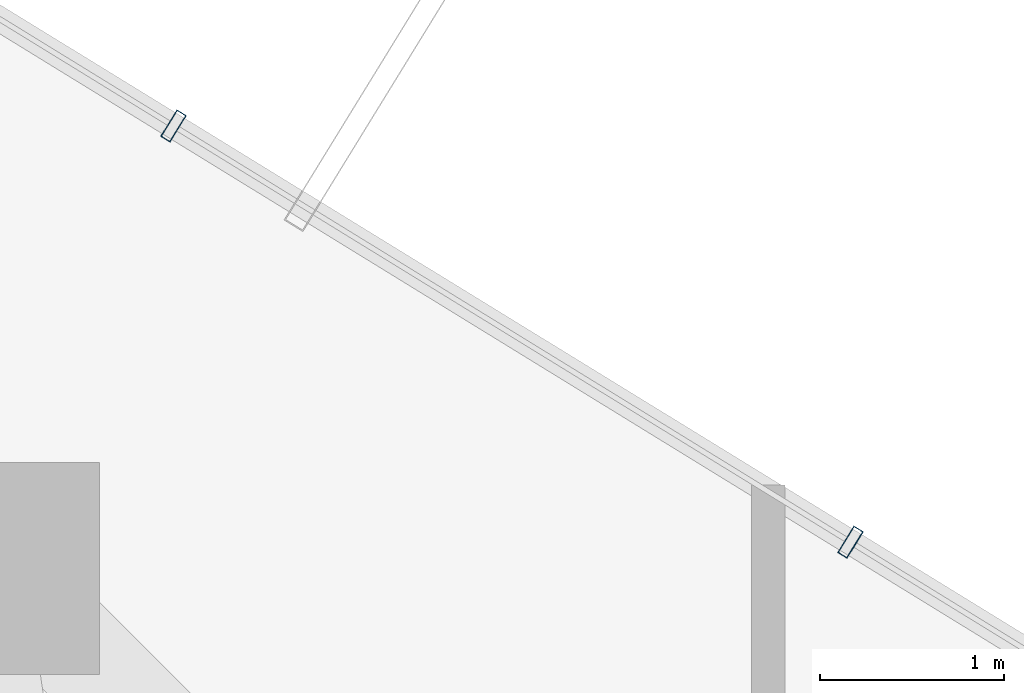
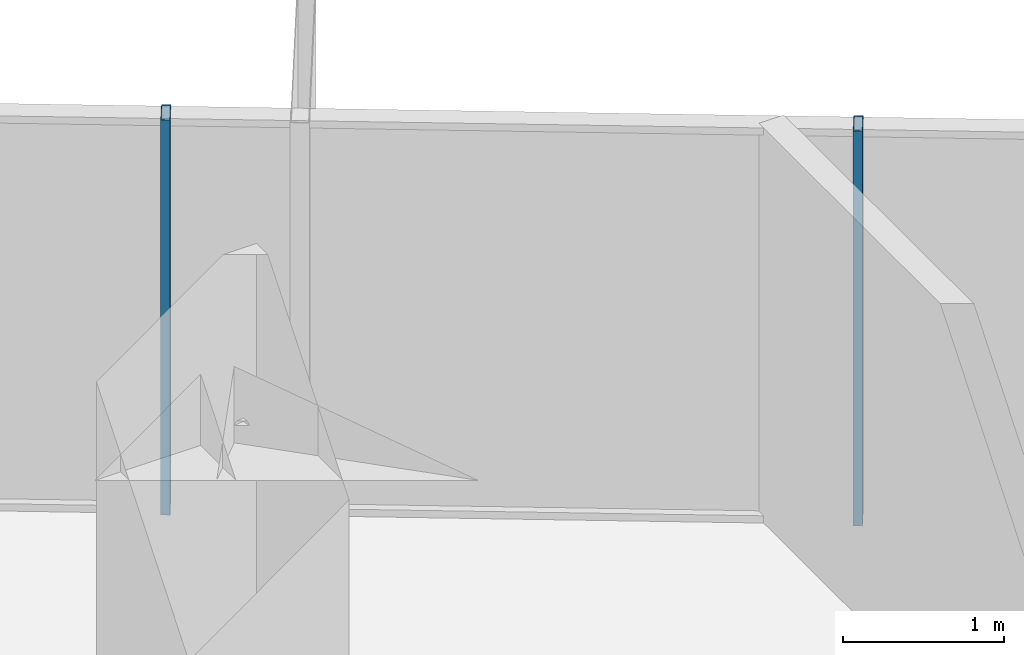
# One storey, part 21 of 30: 2 members, 1 element without a shape of its own.
"""IFC4 building model written with IfcOpenShell, lengths in metres."""

from ifc_helpers import new_model, si_unit, direction, frame, origin, origin_2d, place, context, subcontext, project, spatial, hollow_rectangle, extrude, source, transform, mapped, material, layer, layer_set, material_profile, profile_set, type_object, element, aggregate, save


model = new_model("IFC4")

# Units and contexts
model_context = context("Model", 3, precision=1e-05, world=origin(), true_north=direction((0.0, 1.0)))
body_context = subcontext(model_context, "Body", "Model", "MODEL_VIEW")
ifc_project = project(units=[si_unit("LENGTHUNIT", "METRE"), si_unit("AREAUNIT", "SQUARE_METRE"), si_unit("VOLUMEUNIT", "CUBIC_METRE"), si_unit("PLANEANGLEUNIT", "RADIAN"), si_unit("MASSUNIT", "GRAM", prefix="KILO")], contexts=[model_context])

# Site, building, storey
site_placement = place(None, origin())
site = spatial("IfcSite", under=ifc_project, at=site_placement, CompositionType="ELEMENT")
building_placement = place(site_placement, origin())
building = spatial("IfcBuilding", under=site, at=building_placement, Name="Veraguas Prism Commons", CompositionType="ELEMENT")
storey_placement = place(building_placement, frame((0.0, 0.0, 123.0)))
storey = spatial("IfcBuildingStorey", under=building, at=storey_placement, Name="L34", CompositionType="ELEMENT", Elevation=123.0)

# Curtain wall, members
ifc_material = material(Name="Anodised aluminium EN AW-6063 T6", Category="aluminium")
ifc_layer = layer(ifc_material, 0.169921875, Name="Unitised Flush Curtain Wall Zone 2", Category="aluminium")
ifc_layer_set = layer_set([ifc_layer], Name="Anodised aluminium EN AW-6063 T6")
curtain_wall_type = type_object("IfcCurtainWallType", Name="Unitised Flush Curtain Wall Zone 2", PredefinedType="NOTDEFINED", material=ifc_layer_set)
curtain_wall_placement = place(storey_placement, origin())
curtain_wall = element("IfcCurtainWall", 1, at=curtain_wall_placement, inside=storey, type_object=curtain_wall_type, Name="Tower Facade Curtain Wall L34-F1", PredefinedType="NOTDEFINED")
ifc_material_profile = material_profile(ifc_material, hollow_rectangle(XDim=0.06005859375, YDim=0.169921875, WallThickness=0.00390625, at=origin_2d()), Name="AL60X170X4")
ifc_profile_set = profile_set([ifc_material_profile], Name="Anodised aluminium EN AW-6063 T6")
member_type = type_object("IfcMemberType", Name="Curtain Wall Mullion Lower AL 60x170x4", PredefinedType="MULLION", material=ifc_profile_set)
shared_shape = source(origin(), body_context, "Body", "SweptSolid", [
    extrude(hollow_rectangle(XDim=0.06005859375, YDim=0.169921875, WallThickness=0.00390625, at=origin_2d()), origin(), (0.0, 0.0, 1.0), 3.0),
])
member_1_placement = place(storey_placement, frame((34.045654296875, 40.341796875, 0.0), z_axis=(0.0, 0.0, 1.0), x_axis=(-0.851907959812, 0.523691538989, 0.0)))
member_1 = element("IfcMember", 2, at=member_1_placement, type_object=member_type, Name="CW-Z2 Mullion 3", PredefinedType="MULLION", context=body_context, shape_type="MappedRepresentation", body=[
    mapped(shared_shape, transform((0.0, 0.0, 0.0), scale=1.0)),
])
member_2_placement = place(storey_placement, frame((30.375244140625, 42.59814453125, 0.0), z_axis=(0.0, 0.0, 1.0), x_axis=(-0.851907959812, 0.523691538989, 0.0)))
member_2 = element("IfcMember", 3, at=member_2_placement, type_object=member_type, Name="CW-Z2 Mullion 4", PredefinedType="MULLION", context=body_context, shape_type="MappedRepresentation", body=[
    mapped(shared_shape, transform((0.0, 0.0, 0.0), scale=1.0)),
])
aggregate(curtain_wall, [member_1, member_2])

save(model, "model.ifc")
